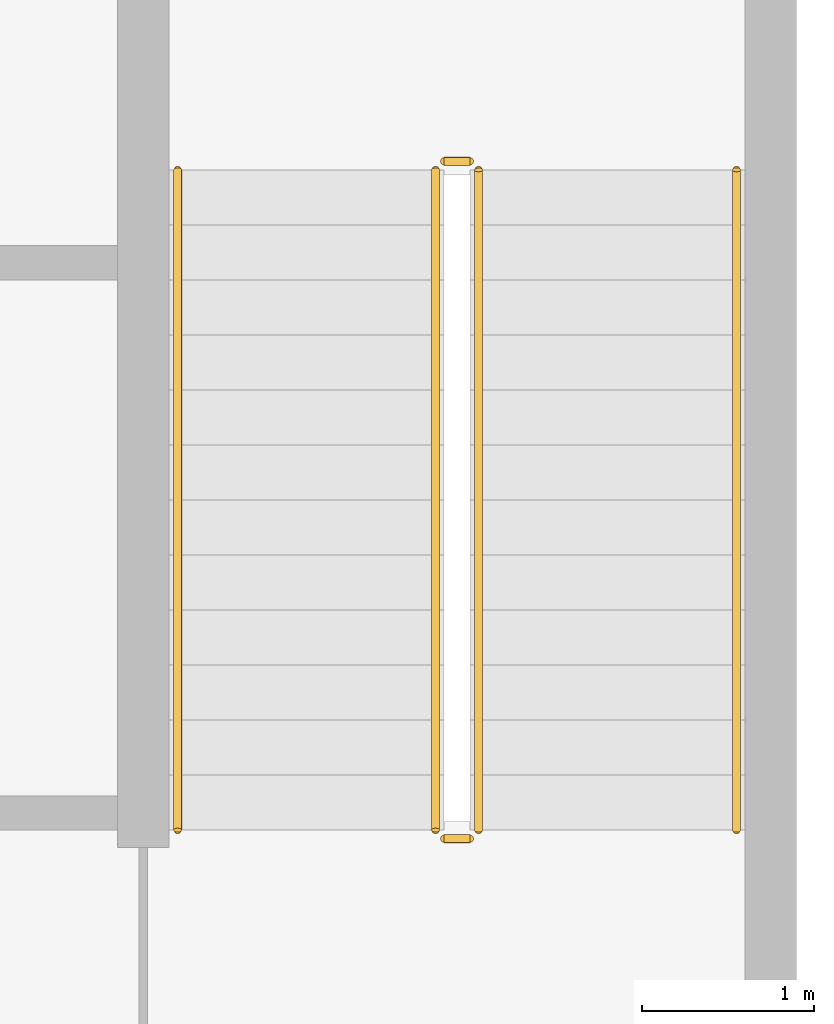
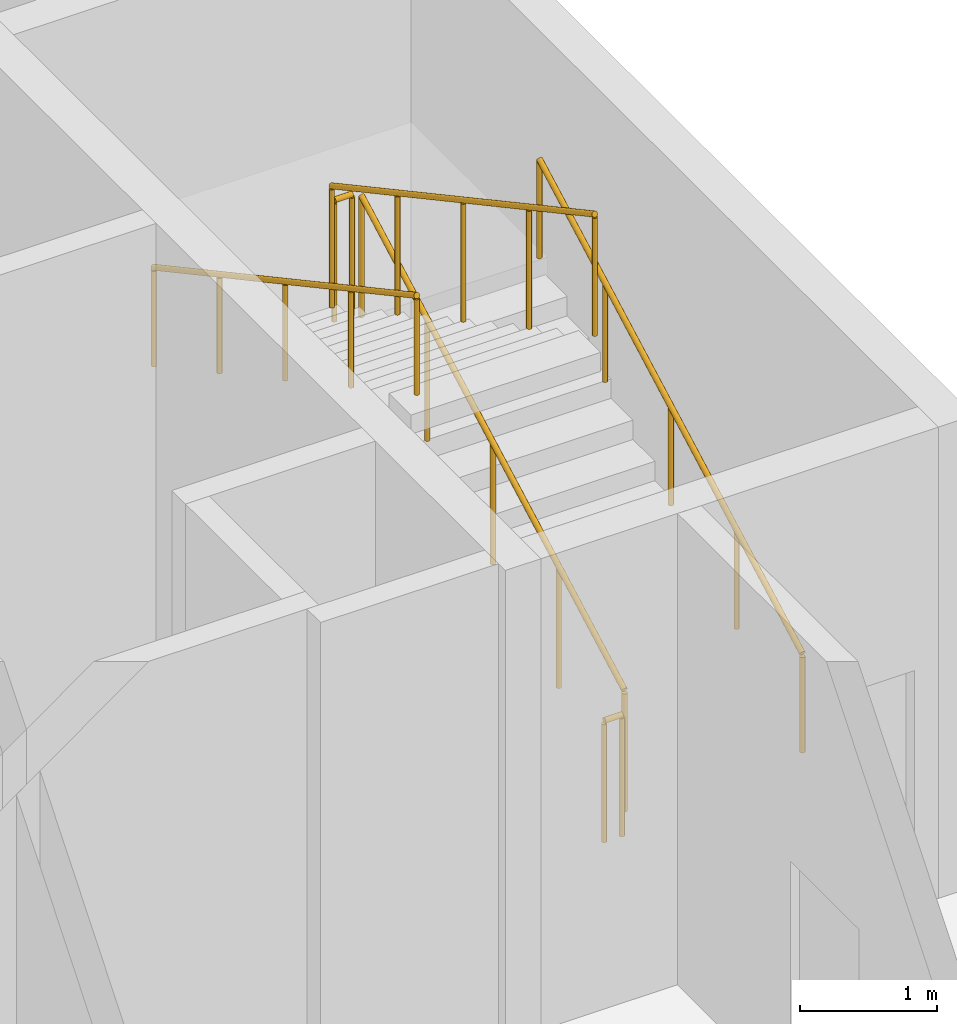
# One storey, part 42 of 45: 6 railings.
"""IFC4 building model written with IfcOpenShell, lengths in metres."""

from ifc_helpers import new_model, si_unit, direction, frame, origin, origin_2d, place, context, subcontext, project, spatial, circle, extrude, material, type_object, element, save


model = new_model("IFC4")

# Units and contexts
model_context = context("Model", 3, precision=1e-05, world=origin(), true_north=direction((0.0, 1.0)))
body_context = subcontext(model_context, "Body", "Model", "MODEL_VIEW")
ifc_project = project(units=[si_unit("LENGTHUNIT", "METRE"), si_unit("AREAUNIT", "SQUARE_METRE"), si_unit("VOLUMEUNIT", "CUBIC_METRE"), si_unit("PLANEANGLEUNIT", "RADIAN"), si_unit("MASSUNIT", "GRAM", prefix="KILO")], contexts=[model_context])

# Site, building, storey
site_placement = place(None, origin())
site = spatial("IfcSite", under=ifc_project, at=site_placement, CompositionType="ELEMENT")
building_placement = place(site_placement, origin())
building = spatial("IfcBuilding", under=site, at=building_placement, Name="Madar Terraces", CompositionType="ELEMENT")
storey_placement = place(building_placement, frame((0.0, 0.0, 6.0)))
storey = spatial("IfcBuildingStorey", under=building, at=storey_placement, Name="L01", CompositionType="ELEMENT", Elevation=6.0)

# Railings
ifc_material_1 = material(Name="Stainless steel railing", Category="steel")
railing_type_1 = type_object("IfcRailingType", Name="Stair guard 1100", PredefinedType="GUARDRAIL", material=ifc_material_1)
railing_1_placement = place(storey_placement, frame((67.75, 6.300048828125, 0.173095703125)))
element("IfcRailing", 1, at=railing_1_placement, inside=storey, type_object=railing_type_1, Name="L01 PS3 stair guard 1", PredefinedType="GUARDRAIL", context=body_context, shape_type="SweptSolid", body=[
    extrude(circle(Radius=0.02392578125, at=origin_2d()), frame((0.0, 0.0, 1.076171875), z_axis=(0.0, 0.879580660541, 0.475749788862), x_axis=(-1.0, 0.0, 0.0)), (0.0, 0.0, 1.0), 4.365478515625),
    extrude(circle(Radius=0.02099609375, at=origin_2d()), origin(), (0.0, 0.0, 1.0), 1.052001953125),
    extrude(circle(Radius=0.02099609375, at=origin_2d()), frame((0.0, 0.9599609375, 0.519287109375)), (0.0, 0.0, 1.0), 1.052001953125),
    extrude(circle(Radius=0.02099609375, at=origin_2d()), frame((0.0, 1.919921875, 1.03857421875)), (0.0, 0.0, 1.0), 1.052001953125),
    extrude(circle(Radius=0.02099609375, at=origin_2d()), frame((0.0, 2.8798828125, 1.5576171875)), (0.0, 0.0, 1.0), 1.052001953125),
    extrude(circle(Radius=0.02099609375, at=origin_2d()), frame((0.0, 3.83984375, 2.076904296875)), (0.0, 0.0, 1.0), 1.052001953125),
])
railing_2_placement = place(storey_placement, frame((67.699951171875, 10.18994140625, 2.25)))
element("IfcRailing", 2, at=railing_2_placement, inside=storey, type_object=railing_type_1, Name="L01 PS3 stair guard 2", PredefinedType="GUARDRAIL", context=body_context, shape_type="SweptSolid", body=[
    extrude(circle(Radius=0.02392578125, at=origin_2d()), frame((0.0, 0.0, 1.076171875), z_axis=(-1.0, 0.0, 0.0), x_axis=(0.0, -1.0, 0.0)), (0.0, 0.0, 1.0), 0.14990234375),
    extrude(circle(Radius=0.02099609375, at=origin_2d()), origin(), (0.0, 0.0, 1.0), 1.052001953125),
    extrude(circle(Radius=0.02099609375, at=origin_2d()), frame((-0.14990234375, 0.0, 0.0)), (0.0, 0.0, 1.0), 1.052001953125),
])
railing_3_placement = place(storey_placement, frame((67.5, 10.139892578125, 2.423095703125)))
element("IfcRailing", 3, at=railing_3_placement, inside=storey, type_object=railing_type_1, Name="L01 PS3 stair guard 3", PredefinedType="GUARDRAIL", context=body_context, shape_type="SweptSolid", body=[
    extrude(circle(Radius=0.02392578125, at=origin_2d()), frame((0.0, 0.0, 1.076171875), z_axis=(0.0, -0.879580660541, 0.475749788862), x_axis=(1.0, 0.0, 0.0)), (0.0, 0.0, 1.0), 4.365478515625),
    extrude(circle(Radius=0.02099609375, at=origin_2d()), origin(), (0.0, 0.0, 1.0), 1.052001953125),
    extrude(circle(Radius=0.02099609375, at=origin_2d()), frame((0.0, -0.9599609375, 0.519287109375)), (0.0, 0.0, 1.0), 1.052001953125),
    extrude(circle(Radius=0.02099609375, at=origin_2d()), frame((0.0, -1.919921875, 1.03857421875)), (0.0, 0.0, 1.0), 1.052001953125),
    extrude(circle(Radius=0.02099609375, at=origin_2d()), frame((0.0, -2.8798828125, 1.5576171875)), (0.0, 0.0, 1.0), 1.052001953125),
    extrude(circle(Radius=0.02099609375, at=origin_2d()), frame((0.0, -3.83984375, 2.076904296875)), (0.0, 0.0, 1.0), 1.052001953125),
])
railing_4_placement = place(storey_placement, frame((67.699951171875, 6.25, 0.0)))
element("IfcRailing", 4, at=railing_4_placement, inside=storey, type_object=railing_type_1, Name="L01 PS3 stair guard 4", PredefinedType="GUARDRAIL", context=body_context, shape_type="SweptSolid", body=[
    extrude(circle(Radius=0.02392578125, at=origin_2d()), frame((0.0, 0.0, 1.076171875), z_axis=(-1.0, 0.0, 0.0), x_axis=(0.0, -1.0, 0.0)), (0.0, 0.0, 1.0), 0.14990234375),
    extrude(circle(Radius=0.02099609375, at=origin_2d()), origin(), (0.0, 0.0, 1.0), 1.052001953125),
    extrude(circle(Radius=0.02099609375, at=origin_2d()), frame((-0.14990234375, 0.0, 0.0)), (0.0, 0.0, 1.0), 1.052001953125),
])
ifc_material_2 = material(Name="Stainless steel railing", Category="steel")
railing_type_2 = type_object("IfcRailingType", Name="Stair handrail 900", PredefinedType="HANDRAIL", material=ifc_material_2)
railing_5_placement = place(storey_placement, frame((69.25, 6.300048828125, 0.173095703125)))
element("IfcRailing", 5, at=railing_5_placement, inside=storey, type_object=railing_type_2, Name="L01 PS3 stair handrail 1", PredefinedType="HANDRAIL", context=body_context, shape_type="SweptSolid", body=[
    extrude(circle(Radius=0.02392578125, at=origin_2d()), frame((0.0, 0.0, 0.8759765625), z_axis=(0.0, 0.879580660541, 0.475749788862), x_axis=(-1.0, 0.0, 0.0)), (0.0, 0.0, 1.0), 4.365478515625),
    extrude(circle(Radius=0.02099609375, at=origin_2d()), origin(), (0.0, 0.0, 1.0), 0.851806640625),
    extrude(circle(Radius=0.02099609375, at=origin_2d()), frame((0.0, 0.9599609375, 0.519287109375)), (0.0, 0.0, 1.0), 0.851806640625),
    extrude(circle(Radius=0.02099609375, at=origin_2d()), frame((0.0, 1.919921875, 1.03857421875)), (0.0, 0.0, 1.0), 0.851806640625),
    extrude(circle(Radius=0.02099609375, at=origin_2d()), frame((0.0, 2.8798828125, 1.5576171875)), (0.0, 0.0, 1.0), 0.851806640625),
    extrude(circle(Radius=0.02099609375, at=origin_2d()), frame((0.0, 3.83984375, 2.076904296875)), (0.0, 0.0, 1.0), 0.851806640625),
])
railing_6_placement = place(storey_placement, frame((66.0, 10.139892578125, 2.423095703125)))
element("IfcRailing", 6, at=railing_6_placement, inside=storey, type_object=railing_type_2, Name="L01 PS3 stair handrail 2", PredefinedType="HANDRAIL", context=body_context, shape_type="SweptSolid", body=[
    extrude(circle(Radius=0.02392578125, at=origin_2d()), frame((0.0, 0.0, 0.8759765625), z_axis=(0.0, -0.879580660541, 0.475749788862), x_axis=(1.0, 0.0, 0.0)), (0.0, 0.0, 1.0), 4.365478515625),
    extrude(circle(Radius=0.02099609375, at=origin_2d()), origin(), (0.0, 0.0, 1.0), 0.851806640625),
    extrude(circle(Radius=0.02099609375, at=origin_2d()), frame((0.0, -0.9599609375, 0.519287109375)), (0.0, 0.0, 1.0), 0.851806640625),
    extrude(circle(Radius=0.02099609375, at=origin_2d()), frame((0.0, -1.919921875, 1.03857421875)), (0.0, 0.0, 1.0), 0.851806640625),
    extrude(circle(Radius=0.02099609375, at=origin_2d()), frame((0.0, -2.8798828125, 1.5576171875)), (0.0, 0.0, 1.0), 0.851806640625),
    extrude(circle(Radius=0.02099609375, at=origin_2d()), frame((0.0, -3.83984375, 2.076904296875)), (0.0, 0.0, 1.0), 0.851806640625),
])

save(model, "model.ifc")
